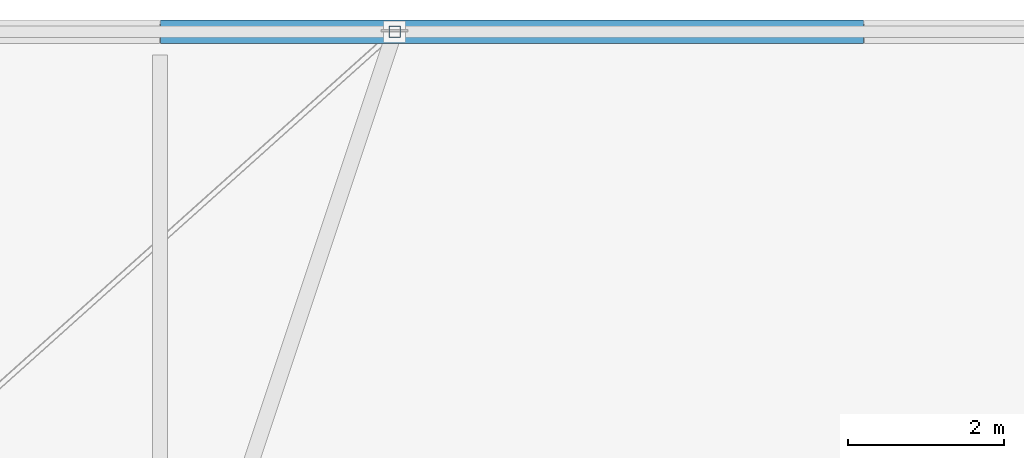
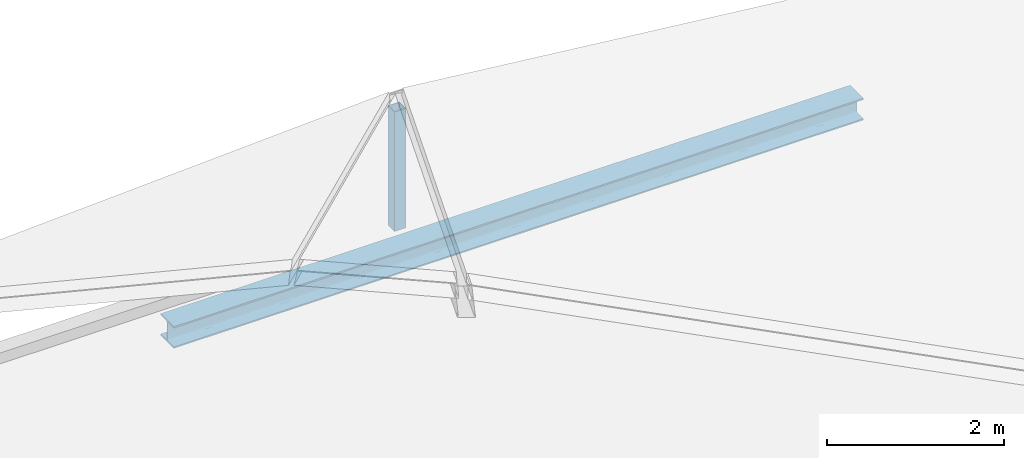
# One storey, part 10 of 18: 1 beam, 1 member.
"""IFC4 building model written with IfcOpenShell, lengths in metres."""

from ifc_helpers import new_model, si_unit, direction, frame, origin, origin_2d, place, context, subcontext, project, spatial, hollow_rectangle, i_section, extrude, material, material_profile, profile_set, type_object, element, save


model = new_model("IFC4")

# Units and contexts
model_context = context("Model", 3, precision=1e-05, world=origin(), true_north=direction((0.0, 1.0)))
body_context = subcontext(model_context, "Body", "Model", "MODEL_VIEW")
ifc_project = project(units=[si_unit("LENGTHUNIT", "METRE"), si_unit("AREAUNIT", "SQUARE_METRE"), si_unit("VOLUMEUNIT", "CUBIC_METRE"), si_unit("PLANEANGLEUNIT", "RADIAN"), si_unit("MASSUNIT", "GRAM", prefix="KILO")], contexts=[model_context])

# Site, building, storey
site_placement = place(None, origin())
site = spatial("IfcSite", under=ifc_project, at=site_placement, CompositionType="ELEMENT")
building_placement = place(site_placement, origin())
building = spatial("IfcBuilding", under=site, at=building_placement, Name="Deido Ridge Mobility Hub", CompositionType="ELEMENT")
storey_placement = place(building_placement, frame((0.0, 0.0, 29.39990234375)))
storey = spatial("IfcBuildingStorey", under=building, at=storey_placement, Name="RF", CompositionType="ELEMENT", Elevation=29.39990234375)

# Member
ifc_material_1 = material(Name="Steel S355J2H EN 10210-1", Category="steel")
ifc_material_profile_1 = material_profile(ifc_material_1, hollow_rectangle(XDim=0.14990234375, YDim=0.14990234375, WallThickness=0.008056640625, at=origin_2d()), Name="SHS 150x150x8")
ifc_profile_set_1 = profile_set([ifc_material_profile_1], Name="Steel S355J2H EN 10210-1")
member_type = type_object("IfcMemberType", Name="MEM-PST-SHS150", PredefinedType="POST", material=ifc_profile_set_1)
member_placement = place(storey_placement, frame((165.0, 54.0, 0.0), z_axis=(0.0, 0.0, 1.0), x_axis=(1.0, 0.0, 0.0)))
element("IfcMember", 1, at=member_placement, inside=storey, type_object=member_type, Name="Crystal roof ridge post PS1", PredefinedType="POST", context=body_context, shape_type="SweptSolid", body=[
    extrude(hollow_rectangle(XDim=0.14990234375, YDim=0.14990234375, WallThickness=0.008056640625, at=origin_2d()), origin(), (0.0, 0.0, 1.0), 1.650146484375),
])

# Beam
ifc_material_2 = material(Name="Steel S355J2 EN 10025-2", Category="steel")
ifc_material_profile_2 = material_profile(ifc_material_2, i_section(OverallWidth=0.300048828125, OverallDepth=0.300048828125, WebThickness=0.010986328125, FlangeThickness=0.01904296875, FilletRadius=0.027099609375, at=origin_2d()), Name="HEB 300")
ifc_profile_set_2 = profile_set([ifc_material_profile_2], Name="Steel S355J2 EN 10025-2")
beam_type = type_object("IfcBeamType", Name="SPD-HEB300", PredefinedType="SPANDREL", material=ifc_profile_set_2)
beam_placement = place(storey_placement, frame((162.0078125, 54.0, -0.389892578125), z_axis=(1.0, 0.0, 0.0), x_axis=(0.0, 1.0, 0.0)))
element("IfcBeam", 2, at=beam_placement, inside=storey, type_object=beam_type, Name="Floor beam SP1", PredefinedType="SPANDREL", context=body_context, shape_type="SweptSolid", body=[
    extrude(i_section(OverallWidth=0.300048828125, OverallDepth=0.300048828125, WebThickness=0.010986328125, FlangeThickness=0.01904296875, FilletRadius=0.027099609375, at=origin_2d()), origin(), (0.0, 0.0, 1.0), 8.984375),
])

save(model, "model.ifc")
